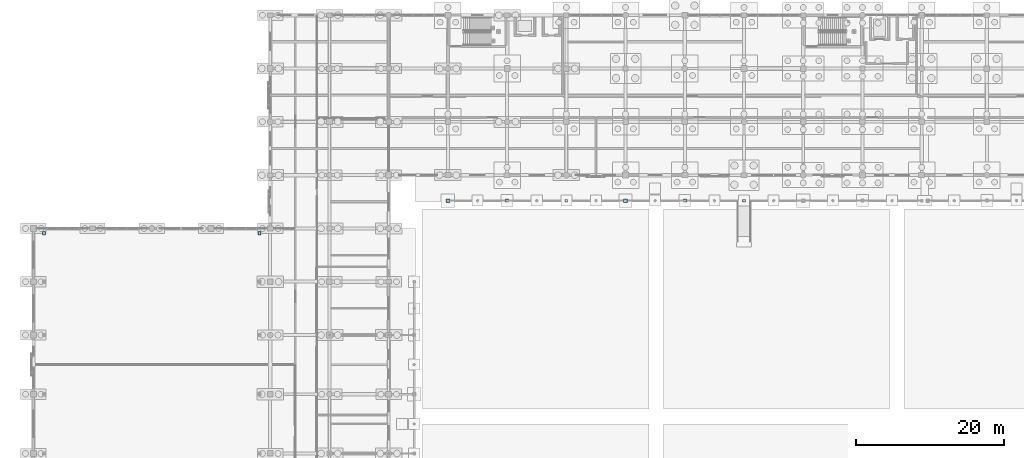
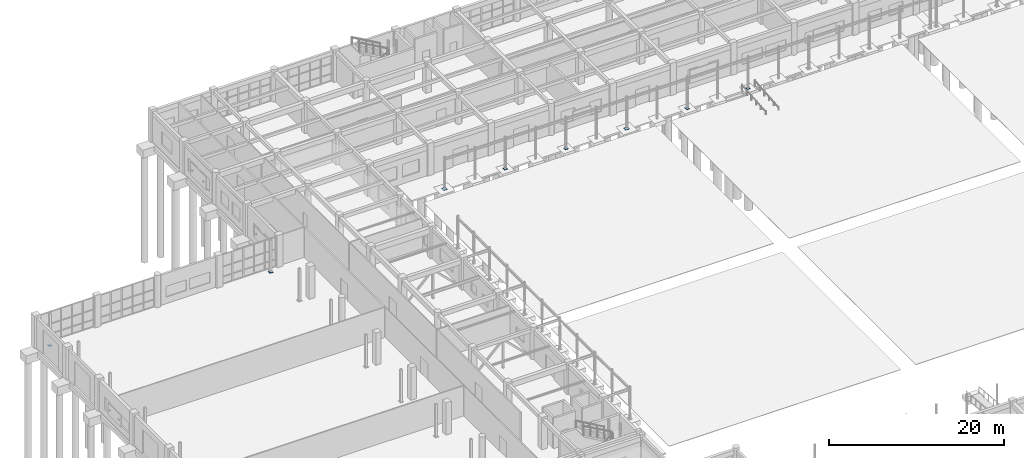
# One storey, part 123 of 166: 8 plates.
"""IFC4 building model written with IfcOpenShell, lengths in metres."""

from ifc_helpers import new_model, si_unit, direction, frame, origin, origin_2d, place, context, subcontext, project, spatial, rectangle, extrude, material, type_object, element, save


model = new_model("IFC4")

# Units and contexts
model_context = context("Model", 3, precision=1e-05, world=origin(), true_north=direction((0.0, 1.0)))
body_context = subcontext(model_context, "Body", "Model", "MODEL_VIEW")
ifc_project = project(units=[si_unit("LENGTHUNIT", "METRE"), si_unit("AREAUNIT", "SQUARE_METRE"), si_unit("VOLUMEUNIT", "CUBIC_METRE"), si_unit("PLANEANGLEUNIT", "RADIAN"), si_unit("MASSUNIT", "GRAM", prefix="KILO")], contexts=[model_context])

# Site, building, storey
site_placement = place(None, origin())
site = spatial("IfcSite", under=ifc_project, at=site_placement, CompositionType="ELEMENT")
building_placement = place(site_placement, origin())
building = spatial("IfcBuilding", under=site, at=building_placement, Name="Kharva Crest Polytechnic", CompositionType="ELEMENT")
storey_placement = place(building_placement, origin())
storey = spatial("IfcBuildingStorey", under=building, at=storey_placement, Name="L00", CompositionType="ELEMENT", Elevation=0.0)

# Plates
ifc_material = material(Name="Steel S355", Category="steel")
plate_type_1 = type_object("IfcPlateType", Name="PLT-BASE-360X360X20", PredefinedType="USERDEFINED", material=ifc_material)
for number, where, z_axis, x_axis, name in (
    (1, (72.0, 96.949951171875, 0.0009765625), (0.0, 0.0, 1.0), (1.0, 0.0, 0.0), "L00 Colonnade Base Plate VN03"),
    (2, (96.0, 96.949951171875, 0.0009765625), (0.0, 0.0, 1.0), (1.0, 0.0, 0.0), "L00 Colonnade Base Plate VN06"),
):
    element("IfcPlate", number, at=place(storey_placement, frame(where, z_axis=z_axis, x_axis=x_axis)), inside=storey, type_object=plate_type_1, Name=name, ObjectType="BASE PLATE", PredefinedType="USERDEFINED", context=body_context, shape_type="SweptSolid", body=[
        extrude(rectangle(XDim=0.360107421875, YDim=0.360107421875, at=origin_2d()), origin(), (0.0, 0.0, 1.0), 0.02001953125),
    ])
plate_type_2 = type_object("IfcPlateType", Name="PLT-BASE-400X400X22", PredefinedType="USERDEFINED", material=ifc_material)
for number, where, z_axis, x_axis, name in (
    (3, (64.0, 96.949951171875, 0.0), (0.0, 0.0, 1.0), (1.0, 0.0, 0.0), "L00 Colonnade Base Plate VN02"),
    (4, (88.0, 96.949951171875, 0.0), (0.0, 0.0, 1.0), (1.0, 0.0, 0.0), "L00 Colonnade Base Plate VN05"),
):
    element("IfcPlate", number, at=place(storey_placement, frame(where, z_axis=z_axis, x_axis=x_axis)), inside=storey, type_object=plate_type_2, Name=name, ObjectType="BASE PLATE", PredefinedType="USERDEFINED", context=body_context, shape_type="SweptSolid", body=[
        extrude(rectangle(XDim=0.39990234375, YDim=0.39990234375, at=origin_2d()), origin(), (0.0, 0.0, 1.0), 0.02197265625),
    ])
plate_type_3 = type_object("IfcPlateType", Name="PLT-BASE-420X420X22", PredefinedType="USERDEFINED", material=ifc_material)
for number, where, z_axis, x_axis, name in (
    (5, (1.449951171875, 92.550048828125, 0.0009765625), (0.0, 0.0, 1.0), (1.0, 0.0, 0.0), "L00 Crane Column Base Plate W8"),
    (6, (30.550048828125, 92.550048828125, 0.0009765625), (0.0, 0.0, 1.0), (1.0, 0.0, 0.0), "L00 Crane Column Base Plate E8"),
):
    element("IfcPlate", number, at=place(storey_placement, frame(where, z_axis=z_axis, x_axis=x_axis)), inside=storey, type_object=plate_type_3, Name=name, ObjectType="BASE PLATE", PredefinedType="USERDEFINED", context=body_context, shape_type="SweptSolid", body=[
        extrude(rectangle(XDim=0.419921875, YDim=0.419921875, at=origin_2d()), origin(), (0.0, 0.0, 1.0), 0.02197265625),
    ])
plate_type_4 = type_object("IfcPlateType", Name="PLT-BASE-500X500X25", PredefinedType="USERDEFINED", material=ifc_material)
for number, where, z_axis, x_axis, name in (
    (7, (56.0, 96.949951171875, -0.00146484375), (0.0, 0.0, 1.0), (1.0, 0.0, 0.0), "L00 Colonnade Base Plate VN01"),
    (8, (80.0, 96.949951171875, -0.00146484375), (0.0, 0.0, 1.0), (1.0, 0.0, 0.0), "L00 Colonnade Base Plate VN04"),
):
    element("IfcPlate", number, at=place(storey_placement, frame(where, z_axis=z_axis, x_axis=x_axis)), inside=storey, type_object=plate_type_4, Name=name, ObjectType="BASE PLATE", PredefinedType="USERDEFINED", context=body_context, shape_type="SweptSolid", body=[
        extrude(rectangle(XDim=0.5, YDim=0.5, at=origin_2d()), origin(), (0.0, 0.0, 1.0), 0.02490234375),
    ])

save(model, "model.ifc")
